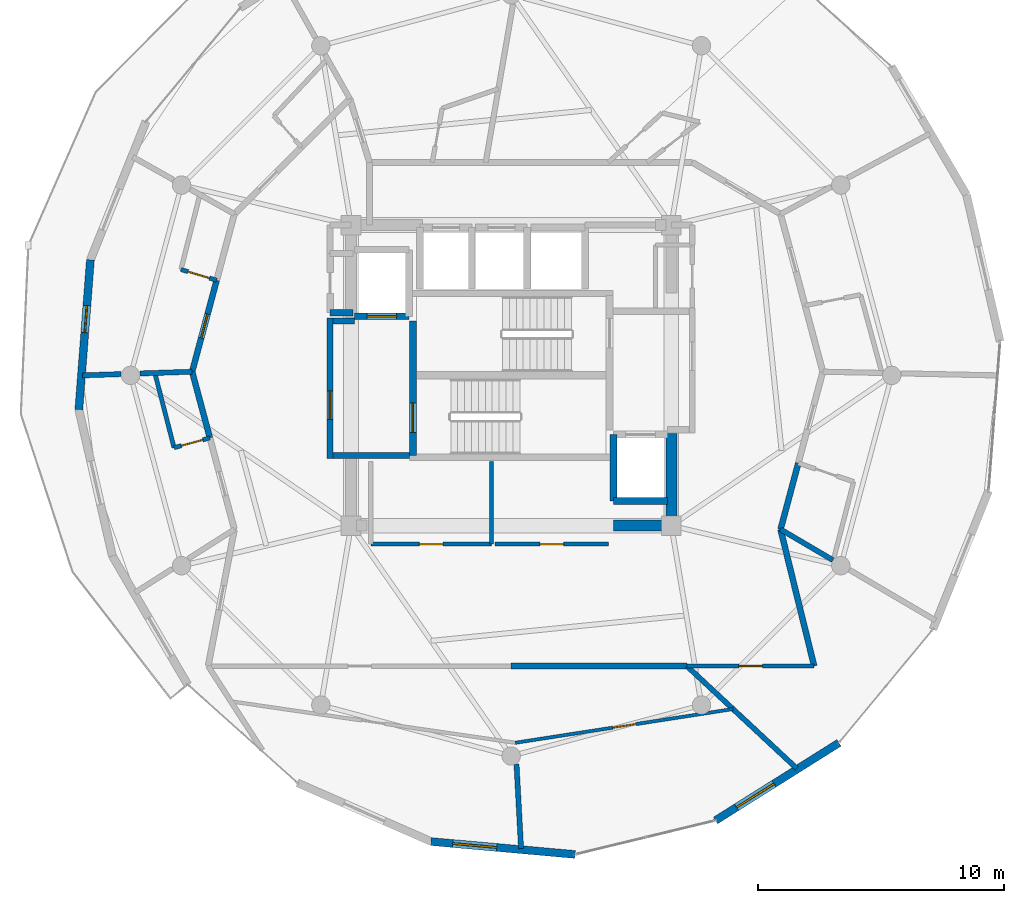
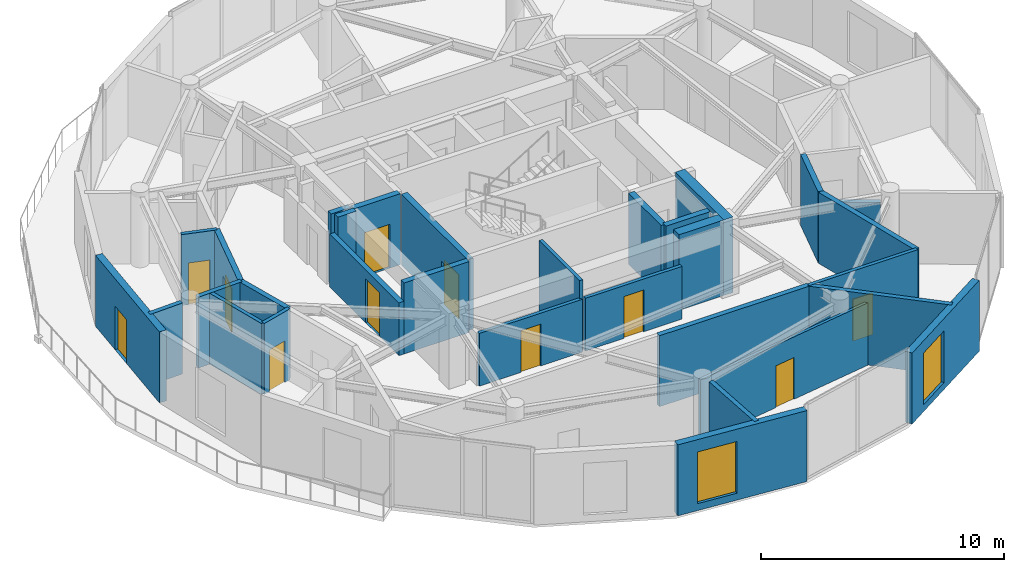
# One storey, part 14 of 19: 31 walls, 11 doors, 2 windows, 13 openings.
"""IFC4 building model written with IfcOpenShell, lengths in metres."""

from ifc_helpers import new_model, si_unit, direction, frame, frame_2d, origin, place, context, subcontext, project, spatial, rectangle, extrude, material, layer, layer_set, type_object, element, fill, save


model = new_model("IFC4")

# Units and contexts
model_context = context("Model", 3, precision=1e-05, world=origin(), true_north=direction((0.0, 1.0)))
body_context = subcontext(model_context, "Body", "Model", "MODEL_VIEW")
ifc_project = project(units=[si_unit("LENGTHUNIT", "METRE"), si_unit("AREAUNIT", "SQUARE_METRE"), si_unit("VOLUMEUNIT", "CUBIC_METRE"), si_unit("PLANEANGLEUNIT", "RADIAN"), si_unit("MASSUNIT", "GRAM", prefix="KILO")], contexts=[model_context])

# Site, building, storey
site_placement = place(None, origin())
site = spatial("IfcSite", under=ifc_project, at=site_placement, CompositionType="ELEMENT")
building_placement = place(site_placement, origin())
building = spatial("IfcBuilding", under=site, at=building_placement, Name="Solvirekh Grand Hotel", CompositionType="ELEMENT")
storey_placement = place(building_placement, frame((0.0, 0.0, 266.800048828125)))
storey = spatial("IfcBuildingStorey", under=building, at=storey_placement, Name="L69", CompositionType="ELEMENT", Elevation=266.800048828125)

# Wall, opening, door
ifc_material_1 = material(Name="Concrete C40/50", Category="concrete")
ifc_layer_1 = layer(ifc_material_1, 0.280029296875)
ifc_layer_set_1 = layer_set([ifc_layer_1], Name="Concrete C40/50")
wall_type_1 = type_object("IfcWallType", Name="CoreShaftWall_RC280", PredefinedType="SOLIDWALL", material=ifc_layer_set_1)
wall_1_placement = place(storey_placement, frame((-6.35009765625, 2.39990234375, 0.0), z_axis=(0.0, 0.0, 1.0), x_axis=(1.0, 0.0, 0.0)))
wall_1 = element("IfcWall", 1, at=wall_1_placement, inside=storey, type_object=wall_type_1, Name="L69 FL-1 hoistway S wall", PredefinedType="SOLIDWALL", context=body_context, shape_type="SweptSolid", body=[
    extrude(rectangle(XDim=2.2001953125, YDim=0.280029296875, at=frame_2d((1.10009765625, 0.0))), origin(), (0.0, 0.0, 1.0), 3.570068359375),
])
opening_1_placement = place(wall_1_placement, frame((0.5, 0.0, 0.0)))
opening_1 = element("IfcOpeningElement", 2, at=opening_1_placement, cuts=wall_1, Name="Opening LD02", PredefinedType="OPENING", context=body_context, shape_type="SweptSolid", body=[
    extrude(rectangle(XDim=1.199951171875, YDim=2.199951171875, at=frame_2d((0.60009765625, 1.10009765625))), frame((0.0, 0.14990234375, 0.0), z_axis=(0.0, -1.0, 0.0), x_axis=(1.0, 0.0, 0.0)), (0.0, 0.0, 1.0), 0.300048828125),
])
ifc_material_2 = material(Name="Fire-Rated Steel Door Assembly", Category="steel")
door_type_1 = type_object("IfcDoorType", Name="Door_LiftFF_1200X2200", OperationType="SLIDING_TO_LEFT", PredefinedType="DOOR", material=ifc_material_2)
door_1_placement = place(opening_1_placement, origin())
door_1 = element("IfcDoor", 3, at=door_1_placement, inside=storey, type_object=door_type_1, Name="L69 FL-1 sliding lift landing door", OperationType="SLIDING_TO_LEFT", OverallHeight=2.199951171875, OverallWidth=1.199951171875, PredefinedType="DOOR", context=body_context, shape_type="SweptSolid", body=[
    extrude(rectangle(XDim=1.199951171875, YDim=2.199951171875, at=frame_2d((0.60009765625, 1.10009765625))), frame((0.0, 0.02490234375, 0.0), z_axis=(0.0, -1.0, 0.0), x_axis=(1.0, 0.0, 0.0)), (0.0, 0.0, 1.0), 0.050048828125),
])
fill(opening_1, door_1)

# Walls
wall_2_placement = place(storey_placement, frame((4.14990234375, -5.10009765625, 0.0), z_axis=(0.0, 0.0, 1.0), x_axis=(1.0, 0.0, 0.0)))
element("IfcWall", 4, at=wall_2_placement, inside=storey, type_object=wall_type_1, Name="L69 FL-2 hoistway S wall", PredefinedType="SOLIDWALL", context=body_context, shape_type="SweptSolid", body=[
    extrude(rectangle(XDim=2.2001953125, YDim=0.280029296875, at=frame_2d((1.10009765625, 0.0))), origin(), (0.0, 0.0, 1.0), 3.570068359375),
])
wall_3_placement = place(storey_placement, frame((4.14990234375, -2.39990234375, 0.0), z_axis=(0.0, 0.0, 1.0), x_axis=(0.0, -1.0, 0.0)))
element("IfcWall", 5, at=wall_3_placement, inside=storey, type_object=wall_type_1, Name="L69 FL-2 hoistway W wall", PredefinedType="SOLIDWALL", context=body_context, shape_type="SweptSolid", body=[
    extrude(rectangle(XDim=2.7001953125, YDim=0.280029296875, at=frame_2d((1.35009765625, 0.0))), origin(), (0.0, 0.0, 1.0), 3.570068359375),
])

# Wall, opening, door
wall_4_placement = place(storey_placement, frame((-3.989990234375, -3.25, 0.0), z_axis=(0.0, 0.0, 1.0), x_axis=(0.0, 1.0, 0.0)))
wall_4 = element("IfcWall", 6, at=wall_4_placement, inside=storey, type_object=wall_type_1, Name="L69 west stair landing enclosure wall", PredefinedType="SOLIDWALL", context=body_context, shape_type="SweptSolid", body=[
    extrude(rectangle(XDim=5.4599609375, YDim=0.280029296875, at=frame_2d((2.72998046875, 0.0))), origin(), (0.0, 0.0, 1.0), 3.570068359375),
])
opening_2_placement = place(wall_4_placement, frame((0.93701171875, 0.0, 0.0)))
opening_2 = element("IfcOpeningElement", 7, at=opening_2_placement, cuts=wall_4, Name="Opening D05", PredefinedType="OPENING", context=body_context, shape_type="SweptSolid", body=[
    extrude(rectangle(XDim=1.199951171875, YDim=2.199951171875, at=frame_2d((0.60009765625, 1.10009765625))), frame((0.0, 0.14990234375, 0.0), z_axis=(0.0, -1.0, 0.0), x_axis=(1.0, 0.0, 0.0)), (0.0, 0.0, 1.0), 0.300048828125),
])
door_type_2 = type_object("IfcDoorType", Name="Door_StairCore_1200X2200", OperationType="NOTDEFINED", PredefinedType="DOOR", material=ifc_material_2)
door_2_placement = place(opening_2_placement, origin())
door_2 = element("IfcDoor", 8, at=door_2_placement, inside=storey, type_object=door_type_2, Name="L69 exit stair ST-1 fire door", OperationType="SINGLE_SWING_LEFT", OverallHeight=2.199951171875, OverallWidth=1.199951171875, PredefinedType="DOOR", context=body_context, shape_type="SweptSolid", body=[
    extrude(rectangle(XDim=1.199951171875, YDim=2.199951171875, at=frame_2d((0.60009765625, 1.10009765625))), frame((0.0, 0.02490234375, 0.0), z_axis=(0.0, -1.0, 0.0), x_axis=(1.0, 0.0, 0.0)), (0.0, 0.0, 1.0), 0.050048828125),
])
fill(opening_2, door_2)

# Walls
ifc_material_3 = material(Name="Concrete C50/60", Category="concrete")
ifc_layer_2 = layer(ifc_material_3, 0.449951171875)
ifc_layer_set_2 = layer_set([ifc_layer_2], Name="Concrete C50/60")
wall_type_2 = type_object("IfcWallType", Name="CoreWall_RC450", PredefinedType="SHEAR", material=ifc_layer_set_2)
wall_5_placement = place(storey_placement, frame((4.14990234375, -6.10009765625, 0.0), z_axis=(0.0, 0.0, 1.0), x_axis=(1.0, 0.0, 0.0)))
element("IfcWall", 9, at=wall_5_placement, inside=storey, type_object=wall_type_2, Name="L69 core corner shear wall SE-S", PredefinedType="SHEAR", context=body_context, shape_type="SweptSolid", body=[
    extrude(rectangle(XDim=2.125, YDim=0.449951171875, at=frame_2d((1.0625, 0.0))), origin(), (0.0, 0.0, 1.0), 3.800048828125),
])
wall_6_placement = place(storey_placement, frame((6.5, -6.324951171875, 0.0), z_axis=(0.0, 0.0, 1.0), x_axis=(0.0, 1.0, 0.0)))
element("IfcWall", 10, at=wall_6_placement, inside=storey, type_object=wall_type_2, Name="L69 core corner shear wall ES-E", PredefinedType="SHEAR", context=body_context, shape_type="SweptSolid", body=[
    extrude(rectangle(XDim=3.974853515625, YDim=0.449951171875, at=frame_2d((1.9873046875, 0.0))), origin(), (0.0, 0.0, 1.0), 3.800048828125),
])

# Wall, opening, window
ifc_material_4 = material(Name="Precast concrete C45/55", Category="concrete")
ifc_layer_3 = layer(ifc_material_4, 0.320068359375)
ifc_layer_set_3 = layer_set([ifc_layer_3], Name="Precast concrete C45/55")
wall_type_3 = type_object("IfcWallType", Name="ExtLobbyWall_RC320", PredefinedType="SOLIDWALL", material=ifc_layer_set_3)
wall_7_placement = place(storey_placement, frame((13.306884765625, -14.91796875, 0.0), z_axis=(0.0, 0.0, 1.0), x_axis=(-0.846622734403, -0.532193522689, 0.0)))
wall_7 = element("IfcWall", 11, at=wall_7_placement, inside=storey, type_object=wall_type_3, Name="L69 exterior structural wall chord 2", PredefinedType="SOLIDWALL", context=body_context, shape_type="SweptSolid", body=[
    extrude(rectangle(XDim=5.9150390625, YDim=0.320068359375, at=frame_2d((2.95751953125, 0.0))), origin(), (0.0, 0.0, 1.0), 3.570068359375),
])
opening_3_placement = place(wall_7_placement, frame((3.110107421875, 0.0, 0.35009765625)))
opening_3 = element("IfcOpeningElement", 12, at=opening_3_placement, cuts=wall_7, Name="Opening W02", PredefinedType="OPENING", context=body_context, shape_type="SweptSolid", body=[
    extrude(rectangle(XDim=1.800048828125, YDim=2.60009765625, at=frame_2d((0.89990234375, 1.300048828125))), frame((0.0, 0.169921875, 0.0), z_axis=(0.0, -1.0, 0.0), x_axis=(1.0, 0.0, 0.0)), (0.0, 0.0, 1.0), 0.340087890625),
])
ifc_material_5 = material(Name="Low-E Tinted Bronze Laminated Glass", Category="aluminium")
window_type = type_object("IfcWindowType", Name="Win_LobbyExt_1800X2600", PartitioningType="SINGLE_PANEL", PredefinedType="WINDOW", material=ifc_material_5)
window_1_placement = place(opening_3_placement, origin())
window_1 = element("IfcWindow", 13, at=window_1_placement, inside=storey, type_object=window_type, Name="L69 panoramic bronze-framed window 2", OverallHeight=2.60009765625, OverallWidth=1.800048828125, PartitioningType="SINGLE_PANEL", PredefinedType="WINDOW", context=body_context, shape_type="SweptSolid", body=[
    extrude(rectangle(XDim=1.800048828125, YDim=2.60009765625, at=frame_2d((0.89990234375, 1.300048828125))), frame((0.0, 0.030029296875, 0.0), z_axis=(0.0, -1.0, 0.0), x_axis=(1.0, 0.0, 0.0)), (0.0, 0.0, 1.0), 0.06005859375),
])
fill(opening_3, window_1)

# Wall, opening, door
wall_8_placement = place(storey_placement, frame((-17.549072265625, -1.385986328125, 0.0), z_axis=(0.0, 0.0, 1.0), x_axis=(0.077106944018, 0.997022827815, 0.0)))
wall_8 = element("IfcWall", 14, at=wall_8_placement, inside=storey, type_object=wall_type_3, Name="L69 exterior structural wall chord 15", PredefinedType="SOLIDWALL", context=body_context, shape_type="SweptSolid", body=[
    extrude(rectangle(XDim=6.094970703125, YDim=0.320068359375, at=frame_2d((3.04736328125, 0.0))), origin(), (0.0, 0.0, 1.0), 3.570068359375),
])
opening_4_placement = place(wall_8_placement, frame((3.134033203125, 0.0, 0.0)))
opening_4 = element("IfcOpeningElement", 15, at=opening_4_placement, cuts=wall_8, Name="Opening D03", PredefinedType="OPENING", context=body_context, shape_type="SweptSolid", body=[
    extrude(rectangle(XDim=1.10009765625, YDim=2.199951171875, at=frame_2d((0.550048828125, 1.10009765625))), frame((0.0, 0.169921875, 0.0), z_axis=(0.0, -1.0, 0.0), x_axis=(1.0, 0.0, 0.0)), (0.0, 0.0, 1.0), 0.340087890625),
])
ifc_material_6 = material(Name="Anodized Bronze Aluminium 6063-T6", Category="aluminium")
door_type_3 = type_object("IfcDoorType", Name="Door_ExtBalcony_1100X2200", OperationType="NOTDEFINED", PredefinedType="DOOR", material=ifc_material_6)
door_3_placement = place(opening_4_placement, origin())
door_3 = element("IfcDoor", 16, at=door_3_placement, inside=storey, type_object=door_type_3, Name="L69 Crescent balcony glazed door (15)", OperationType="SINGLE_SWING_LEFT", OverallHeight=2.199951171875, OverallWidth=1.10009765625, PredefinedType="DOOR", context=body_context, shape_type="SweptSolid", body=[
    extrude(rectangle(XDim=1.10009765625, YDim=2.199951171875, at=frame_2d((0.550048828125, 1.10009765625))), frame((0.0, 0.02490234375, 0.0), z_axis=(0.0, -1.0, 0.0), x_axis=(1.0, 0.0, 0.0)), (0.0, 0.0, 1.0), 0.050048828125),
])
fill(opening_4, door_3)

# Wall, opening, window
wall_9_placement = place(storey_placement, frame((2.592041015625, -19.447021484375, 0.0), z_axis=(0.0, 0.0, 1.0), x_axis=(-0.996012281509, 0.089216226568, 0.0)))
wall_9 = element("IfcWall", 17, at=wall_9_placement, inside=storey, type_object=wall_type_3, Name="L69 exterior structural wall chord 20", PredefinedType="SOLIDWALL", context=body_context, shape_type="SweptSolid", body=[
    extrude(rectangle(XDim=5.87255859375, YDim=0.320068359375, at=frame_2d((2.936279296875, 0.0))), origin(), (0.0, 0.0, 1.0), 3.570068359375),
])
opening_5_placement = place(wall_9_placement, frame((3.18701171875, 0.0, 0.35009765625)))
opening_5 = element("IfcOpeningElement", 18, at=opening_5_placement, cuts=wall_9, Name="Opening W02", PredefinedType="OPENING", context=body_context, shape_type="SweptSolid", body=[
    extrude(rectangle(XDim=1.800048828125, YDim=2.60009765625, at=frame_2d((0.89990234375, 1.300048828125))), frame((0.0, 0.169921875, 0.0), z_axis=(0.0, -1.0, 0.0), x_axis=(1.0, 0.0, 0.0)), (0.0, 0.0, 1.0), 0.340087890625),
])
window_2_placement = place(opening_5_placement, origin())
window_2 = element("IfcWindow", 19, at=window_2_placement, inside=storey, type_object=window_type, Name="L69 panoramic bronze-framed window 20", OverallHeight=2.60009765625, OverallWidth=1.800048828125, PartitioningType="SINGLE_PANEL", PredefinedType="WINDOW", context=body_context, shape_type="SweptSolid", body=[
    extrude(rectangle(XDim=1.800048828125, YDim=2.60009765625, at=frame_2d((0.89990234375, 1.300048828125))), frame((0.0, 0.030029296875, 0.0), z_axis=(0.0, -1.0, 0.0), x_axis=(1.0, 0.0, 0.0)), (0.0, 0.0, 1.0), 0.06005859375),
])
fill(opening_5, window_2)

# Wall, opening, door
ifc_material_7 = material(Name="Acoustic Gypsum Partition Assembly")
ifc_layer_4 = layer(ifc_material_7, 0.1650390625)
ifc_layer_set_4 = layer_set([ifc_layer_4], Name="Acoustic Gypsum Partition Assembly")
wall_type_4 = type_object("IfcWallType", Name="Part_BOH_165", PredefinedType="PARTITIONING", material=ifc_layer_set_4)
wall_10_placement = place(storey_placement, frame((-5.699951171875, -6.85009765625, 0.0), z_axis=(0.0, 0.0, 1.0), x_axis=(1.0, 0.0, 0.0)))
wall_10 = element("IfcWall", 20, at=wall_10_placement, inside=storey, type_object=wall_type_4, Name="L69 High-Zone Housekeeping Linen Room wall 1", PredefinedType="PARTITIONING", context=body_context, shape_type="SweptSolid", body=[
    extrude(rectangle(XDim=4.89990234375, YDim=0.1650390625, at=frame_2d((2.449951171875, 0.0))), origin(), (0.0, 0.0, 1.0), 2.655029296875),
])
opening_6_placement = place(wall_10_placement, frame((1.97509765625, 0.0, 0.0)))
opening_6 = element("IfcOpeningElement", 21, at=opening_6_placement, cuts=wall_10, Name="Opening D10", PredefinedType="OPENING", context=body_context, shape_type="SweptSolid", body=[
    extrude(rectangle(XDim=0.949951171875, YDim=2.10009765625, at=frame_2d((0.47509765625, 1.050048828125))), frame((0.0, 0.092529296875, 0.0), z_axis=(0.0, -1.0, 0.0), x_axis=(1.0, 0.0, 0.0)), (0.0, 0.0, 1.0), 0.18505859375),
])
door_type_4 = type_object("IfcDoorType", Name="Door_RoomInt_950X2100", OperationType="NOTDEFINED", PredefinedType="DOOR", material=ifc_material_6)
door_4_placement = place(opening_6_placement, origin())
door_4 = element("IfcDoor", 22, at=door_4_placement, inside=storey, type_object=door_type_4, Name="L69 High-Zone Housekeeping Linen Room door", OperationType="SINGLE_SWING_LEFT", OverallHeight=2.10009765625, OverallWidth=0.949951171875, PredefinedType="DOOR", context=body_context, shape_type="SweptSolid", body=[
    extrude(rectangle(XDim=0.949951171875, YDim=2.10009765625, at=frame_2d((0.47509765625, 1.050048828125))), frame((0.0, 0.02490234375, 0.0), z_axis=(0.0, -1.0, 0.0), x_axis=(1.0, 0.0, 0.0)), (0.0, 0.0, 1.0), 0.050048828125),
])
fill(opening_6, door_4)

# Wall
wall_11_placement = place(storey_placement, frame((-0.800048828125, -6.85009765625, 0.0), z_axis=(0.0, 0.0, 1.0), x_axis=(0.0, 1.0, 0.0)))
element("IfcWall", 23, at=wall_11_placement, inside=storey, type_object=wall_type_4, Name="L69 High-Zone Housekeeping Linen Room wall 2", PredefinedType="PARTITIONING", context=body_context, shape_type="SweptSolid", body=[
    extrude(rectangle(XDim=3.35009765625, YDim=0.1650390625, at=frame_2d((1.675048828125, 0.0))), origin(), (0.0, 0.0, 1.0), 3.570068359375),
])

# Wall, opening, door
wall_12_placement = place(storey_placement, frame((-0.64990234375, -6.85009765625, 0.0), z_axis=(0.0, 0.0, 1.0), x_axis=(1.0, 0.0, 0.0)))
wall_12 = element("IfcWall", 24, at=wall_12_placement, inside=storey, type_object=wall_type_4, Name="L69 Butler Valet Steward Room wall 1", PredefinedType="PARTITIONING", context=body_context, shape_type="SweptSolid", body=[
    extrude(rectangle(XDim=4.599853515625, YDim=0.1650390625, at=frame_2d((2.2998046875, 0.0))), origin(), (0.0, 0.0, 1.0), 2.655029296875),
])
opening_7_placement = place(wall_12_placement, frame((1.824951171875, 0.0, 0.0)))
opening_7 = element("IfcOpeningElement", 25, at=opening_7_placement, cuts=wall_12, Name="Opening D10", PredefinedType="OPENING", context=body_context, shape_type="SweptSolid", body=[
    extrude(rectangle(XDim=0.949951171875, YDim=2.10009765625, at=frame_2d((0.47509765625, 1.050048828125))), frame((0.0, 0.092529296875, 0.0), z_axis=(0.0, -1.0, 0.0), x_axis=(1.0, 0.0, 0.0)), (0.0, 0.0, 1.0), 0.18505859375),
])
door_5_placement = place(opening_7_placement, origin())
door_5 = element("IfcDoor", 26, at=door_5_placement, inside=storey, type_object=door_type_4, Name="L69 Butler Valet Steward Room door", OperationType="SINGLE_SWING_RIGHT", OverallHeight=2.10009765625, OverallWidth=0.949951171875, PredefinedType="DOOR", context=body_context, shape_type="SweptSolid", body=[
    extrude(rectangle(XDim=0.949951171875, YDim=2.10009765625, at=frame_2d((0.47509765625, 1.050048828125))), frame((0.0, 0.02490234375, 0.0), z_axis=(0.0, -1.0, 0.0), x_axis=(1.0, 0.0, 0.0)), (0.0, 0.0, 1.0), 0.050048828125),
])
fill(opening_7, door_5)

wall_13_placement = place(storey_placement, frame((7.134033203125, -11.800048828125, 0.0), z_axis=(0.0, 0.0, 1.0), x_axis=(1.0, 0.0, 0.0)))
wall_13 = element("IfcWall", 27, at=wall_13_placement, inside=storey, type_object=wall_type_4, Name="L69 L69 Butler Valet & Linen Steward Room entrance wall", PredefinedType="PARTITIONING", context=body_context, shape_type="SweptSolid", body=[
    extrude(rectangle(XDim=5.166015625, YDim=0.1650390625, at=frame_2d((2.5830078125, 0.0))), origin(), (0.0, 0.0, 1.0), 3.570068359375),
])
opening_8_placement = place(wall_13_placement, frame((2.10791015625, 0.0, 0.0)))
opening_8 = element("IfcOpeningElement", 28, at=opening_8_placement, cuts=wall_13, Name="Opening D10", PredefinedType="OPENING", context=body_context, shape_type="SweptSolid", body=[
    extrude(rectangle(XDim=0.949951171875, YDim=2.10009765625, at=frame_2d((0.47509765625, 1.050048828125))), frame((0.0, 0.092529296875, 0.0), z_axis=(0.0, -1.0, 0.0), x_axis=(1.0, 0.0, 0.0)), (0.0, 0.0, 1.0), 0.18505859375),
])
door_6_placement = place(opening_8_placement, origin())
door_6 = element("IfcDoor", 29, at=door_6_placement, inside=storey, type_object=door_type_4, Name="L69 L69 Butler Valet & Linen Steward Room entrance door", OperationType="SINGLE_SWING_RIGHT", OverallHeight=2.10009765625, OverallWidth=0.949951171875, PredefinedType="DOOR", context=body_context, shape_type="SweptSolid", body=[
    extrude(rectangle(XDim=0.949951171875, YDim=2.10009765625, at=frame_2d((0.47509765625, 1.050048828125))), frame((0.0, 0.02490234375, 0.0), z_axis=(0.0, -1.0, 0.0), x_axis=(1.0, 0.0, 0.0)), (0.0, 0.0, 1.0), 0.050048828125),
])
fill(opening_8, door_6)

ifc_layer_5 = layer(ifc_material_7, 0.239990234375)
ifc_layer_set_5 = layer_set([ifc_layer_5], Name="Acoustic Gypsum Partition Assembly")
wall_type_5 = type_object("IfcWallType", Name="Part_Corridor_240", PredefinedType="PARTITIONING", material=ifc_layer_set_5)
wall_14_placement = place(storey_placement, frame((-7.35009765625, -3.3798828125, 0.0), z_axis=(0.0, 0.0, 1.0), x_axis=(0.0, 1.0, 0.0)))
wall_14 = element("IfcWall", 30, at=wall_14_placement, inside=storey, type_object=wall_type_5, Name="L69 west firefighting lobby smoke screen wall", PredefinedType="PARTITIONING", context=body_context, shape_type="SweptSolid", body=[
    extrude(rectangle(XDim=5.719970703125, YDim=0.239990234375, at=frame_2d((2.85986328125, 0.0))), origin(), (0.0, 0.0, 1.0), 2.655029296875),
])
opening_9_placement = place(wall_14_placement, frame((1.59912109375, 0.0, 0.0)))
opening_9 = element("IfcOpeningElement", 31, at=opening_9_placement, cuts=wall_14, Name="Opening D06", PredefinedType="OPENING", context=body_context, shape_type="SweptSolid", body=[
    extrude(rectangle(XDim=1.14990234375, YDim=2.199951171875, at=frame_2d((0.574951171875, 1.10009765625))), frame((0.0, 0.1298828125, 0.0), z_axis=(0.0, -1.0, 0.0), x_axis=(1.0, 0.0, 0.0)), (0.0, 0.0, 1.0), 0.260009765625),
])
door_type_5 = type_object("IfcDoorType", Name="Door_FFLobby_1150X2200", OperationType="NOTDEFINED", PredefinedType="DOOR", material=ifc_material_2)
door_7_placement = place(opening_9_placement, origin())
door_7 = element("IfcDoor", 32, at=door_7_placement, inside=storey, type_object=door_type_5, Name="L69 west firefighting lobby smoke door", OperationType="SINGLE_SWING_LEFT", OverallHeight=2.199951171875, OverallWidth=1.14990234375, PredefinedType="DOOR", context=body_context, shape_type="SweptSolid", body=[
    extrude(rectangle(XDim=1.14990234375, YDim=2.199951171875, at=frame_2d((0.574951171875, 1.10009765625))), frame((0.0, 0.02490234375, 0.0), z_axis=(0.0, -1.0, 0.0), x_axis=(1.0, 0.0, 0.0)), (0.0, 0.0, 1.0), 0.050048828125),
])
fill(opening_9, door_7)

wall_15_placement = place(storey_placement, frame((-11.955078125, 3.862060546875, 0.0), z_axis=(0.0, 0.0, 1.0), x_axis=(-0.258868389222, -0.965912603221, 0.0)))
wall_15 = element("IfcWall", 33, at=wall_15_placement, inside=storey, type_object=wall_type_5, Name="L69 Deluxe Guestroom 7104 entrance wall", PredefinedType="PARTITIONING", context=body_context, shape_type="SweptSolid", body=[
    extrude(rectangle(XDim=3.84326171875, YDim=0.239990234375, at=frame_2d((1.921630859375, 0.0))), origin(), (0.0, 0.0, 1.0), 3.570068359375),
])
opening_10_placement = place(wall_15_placement, frame((1.422119140625, 0.0, 0.0)))
opening_10 = element("IfcOpeningElement", 34, at=opening_10_placement, cuts=wall_15, Name="Opening D07", PredefinedType="OPENING", context=body_context, shape_type="SweptSolid", body=[
    extrude(rectangle(XDim=1.0, YDim=2.199951171875, at=frame_2d((0.5, 1.10009765625))), frame((0.0, 0.1298828125, 0.0), z_axis=(0.0, -1.0, 0.0), x_axis=(1.0, 0.0, 0.0)), (0.0, 0.0, 1.0), 0.260009765625),
])
door_type_6 = type_object("IfcDoorType", Name="Door_GuestEntry_1000X2200", OperationType="NOTDEFINED", PredefinedType="DOOR", material=ifc_material_2)
door_8_placement = place(opening_10_placement, origin())
door_8 = element("IfcDoor", 35, at=door_8_placement, inside=storey, type_object=door_type_6, Name="L69 Deluxe Guestroom 7104 entrance door", OperationType="SINGLE_SWING_LEFT", OverallHeight=2.199951171875, OverallWidth=1.0, PredefinedType="DOOR", context=body_context, shape_type="SweptSolid", body=[
    extrude(rectangle(XDim=1.0, YDim=2.199951171875, at=frame_2d((0.5, 1.10009765625))), frame((0.0, 0.02490234375, 0.0), z_axis=(0.0, -1.0, 0.0), x_axis=(1.0, 0.0, 0.0)), (0.0, 0.0, 1.0), 0.050048828125),
])
fill(opening_10, door_8)

# Walls
for number, where, z_axis, x_axis, name in (
    (36, (-12.949951171875, 0.14990234375, 0.0), (0.0, 0.0, 1.0), (0.258727314432, -0.96595040078, 0.0), "L69 En-suite Bathroom 7105 corridor backing wall"),
    (37, (10.93505859375, -6.25, 0.0), (0.0, 0.0, 1.0), (0.258727314432, 0.96595040078, 0.0), "L69 En-suite Bathroom 7106 corridor backing wall"),
):
    element("IfcWall", number, at=place(storey_placement, frame(where, z_axis=z_axis, x_axis=x_axis)), inside=storey, type_object=wall_type_5, Name=name, PredefinedType="PARTITIONING", context=body_context, shape_type="SweptSolid", body=[
        extrude(rectangle(XDim=2.78271484375, YDim=0.239990234375, at=frame_2d((1.391357421875, 0.0))), origin(), (0.0, 0.0, 1.0), 3.570068359375),
    ])
wall_16_placement = place(storey_placement, frame((0.0, -11.800048828125, 0.0), z_axis=(0.0, 0.0, 1.0), x_axis=(1.0, 0.0, 0.0)))
element("IfcWall", 38, at=wall_16_placement, inside=storey, type_object=wall_type_5, Name="L69 L69 Skyline Library Lounge corridor wall 1", PredefinedType="PARTITIONING", context=body_context, shape_type="SweptSolid", body=[
    extrude(rectangle(XDim=7.134033203125, YDim=0.239990234375, at=frame_2d((3.56689453125, 0.0))), origin(), (0.0, 0.0, 1.0), 3.570068359375),
])
wall_17_placement = place(storey_placement, frame((12.300048828125, -11.800048828125, 0.0), z_axis=(0.0, 0.0, 1.0), x_axis=(-0.238825099749, 0.971062599285, 0.0)))
element("IfcWall", 39, at=wall_17_placement, inside=storey, type_object=wall_type_5, Name="L69 L69 Butler Valet & Linen Steward Room corridor wall 1", PredefinedType="PARTITIONING", context=body_context, shape_type="SweptSolid", body=[
    extrude(rectangle(XDim=5.71533203125, YDim=0.239990234375, at=frame_2d((2.857666015625, 0.0))), origin(), (0.0, 0.0, 1.0), 3.570068359375),
])
ifc_layer_6 = layer(ifc_material_7, 0.260009765625)
ifc_layer_set_6 = layer_set([ifc_layer_6], Name="Acoustic Gypsum Partition Assembly")
wall_type_6 = type_object("IfcWallType", Name="Part_LobbyFF_260", PredefinedType="PARTITIONING", material=ifc_layer_set_6)
wall_18_placement = place(storey_placement, frame((-7.22509765625, -3.25, 0.0), z_axis=(0.0, 0.0, 1.0), x_axis=(1.0, 0.0, 0.0)))
element("IfcWall", 40, at=wall_18_placement, inside=storey, type_object=wall_type_6, Name="L69 west firefighting lobby south partition", PredefinedType="PARTITIONING", context=body_context, shape_type="SweptSolid", body=[
    extrude(rectangle(XDim=3.09521484375, YDim=0.260009765625, at=frame_2d((1.547607421875, 0.0))), origin(), (0.0, 0.0, 1.0), 3.570068359375),
])
wall_19_placement = place(storey_placement, frame((-7.22509765625, 2.2099609375, 0.0), z_axis=(0.0, 0.0, 1.0), x_axis=(1.0, 0.0, 0.0)))
element("IfcWall", 41, at=wall_19_placement, inside=storey, type_object=wall_type_6, Name="L69 west firefighting lobby NW cheek", PredefinedType="PARTITIONING", context=body_context, shape_type="SweptSolid", body=[
    extrude(rectangle(XDim=0.875, YDim=0.260009765625, at=frame_2d((0.4375, 0.0))), origin(), (0.0, 0.0, 1.0), 3.570068359375),
])
wall_20_placement = place(storey_placement, frame((-7.35009765625, 2.550048828125, 0.0), z_axis=(0.0, 0.0, 1.0), x_axis=(1.0, 0.0, 0.0)))
element("IfcWall", 42, at=wall_20_placement, inside=storey, type_object=wall_type_6, Name="L69 NW telecom metering cupboard south wall", PredefinedType="PARTITIONING", context=body_context, shape_type="SweptSolid", body=[
    extrude(rectangle(XDim=0.93017578125, YDim=0.260009765625, at=frame_2d((0.465087890625, 0.0))), origin(), (0.0, 0.0, 1.0), 3.570068359375),
])

# Wall, opening, door
ifc_layer_7 = layer(ifc_material_7, 0.135009765625)
ifc_layer_set_7 = layer_set([ifc_layer_7], Name="Acoustic Gypsum Partition Assembly")
wall_type_7 = type_object("IfcWallType", Name="Part_RoomInt_135", PredefinedType="PARTITIONING", material=ifc_layer_set_7)
wall_21_placement = place(storey_placement, frame((0.1689453125, -14.9130859375, 0.0), z_axis=(0.0, 0.0, 1.0), x_axis=(0.988190446512, 0.153230680422, 0.0)))
wall_21 = element("IfcWall", 43, at=wall_21_placement, inside=storey, type_object=wall_type_7, Name="L69 L69 Riverfront Tea Belvedere bedroom screen wall", PredefinedType="PARTITIONING", context=body_context, shape_type="SweptSolid", body=[
    extrude(rectangle(XDim=8.941650390625, YDim=0.135009765625, at=frame_2d((4.470703125, 0.0))), origin(), (0.0, 0.0, 1.0), 3.136962890625),
])
opening_11_placement = place(wall_21_placement, frame((3.99609375, 0.0, 0.0)))
opening_11 = element("IfcOpeningElement", 44, at=opening_11_placement, cuts=wall_21, Name="Opening D10", PredefinedType="OPENING", context=body_context, shape_type="SweptSolid", body=[
    extrude(rectangle(XDim=0.949951171875, YDim=2.10009765625, at=frame_2d((0.47509765625, 1.050048828125))), frame((0.0, 0.07763671875, 0.0), z_axis=(0.0, -1.0, 0.0), x_axis=(1.0, 0.0, 0.0)), (0.0, 0.0, 1.0), 0.155029296875),
])
door_9_placement = place(opening_11_placement, origin())
door_9 = element("IfcDoor", 45, at=door_9_placement, inside=storey, type_object=door_type_4, Name="L69 L69 Riverfront Tea Belvedere master bedroom door", OperationType="SINGLE_SWING_LEFT", OverallHeight=2.10009765625, OverallWidth=0.949951171875, PredefinedType="DOOR", context=body_context, shape_type="SweptSolid", body=[
    extrude(rectangle(XDim=0.949951171875, YDim=2.10009765625, at=frame_2d((0.47509765625, 1.050048828125))), frame((0.0, 0.02490234375, 0.0), z_axis=(0.0, -1.0, 0.0), x_axis=(1.0, 0.0, 0.0)), (0.0, 0.0, 1.0), 0.050048828125),
])
fill(opening_11, door_9)

# Walls
ifc_layer_8 = layer(ifc_material_7, 0.2099609375)
ifc_layer_set_8 = layer_set([ifc_layer_8], Name="Acoustic Gypsum Partition Assembly")
wall_type_8 = type_object("IfcWallType", Name="Part_SuiteDemise_210", PredefinedType="PARTITIONING", material=ifc_layer_set_8)
wall_22_placement = place(storey_placement, frame((-12.949951171875, 0.14990234375, 0.0), z_axis=(0.0, 0.0, 1.0), x_axis=(-0.999439124644, -0.033487850508, 0.0)))
element("IfcWall", 46, at=wall_22_placement, inside=storey, type_object=wall_type_8, Name="L69 suite radial wall 7 (A)", PredefinedType="PARTITIONING", context=body_context, shape_type="SweptSolid", body=[
    extrude(rectangle(XDim=2.1142578125, YDim=0.2099609375, at=frame_2d((1.05712890625, 0.0))), origin(), (0.0, 0.0, 1.0), 3.570068359375),
])
wall_23_placement = place(storey_placement, frame((-15.841064453125, 0.052978515625, 0.0), z_axis=(0.0, 0.0, 1.0), x_axis=(-0.999424600814, -0.033918539002, 0.0)))
element("IfcWall", 47, at=wall_23_placement, inside=storey, type_object=wall_type_8, Name="L69 suite radial wall 7 (B)", PredefinedType="PARTITIONING", context=body_context, shape_type="SweptSolid", body=[
    extrude(rectangle(XDim=1.56201171875, YDim=0.2099609375, at=frame_2d((0.781005859375, 0.0))), origin(), (0.0, 0.0, 1.0), 3.570068359375),
])
wall_24_placement = place(storey_placement, frame((10.93505859375, -6.25, 0.0), z_axis=(0.0, 0.0, 1.0), x_axis=(0.862250119525, -0.506482705903, 0.0)))
element("IfcWall", 48, at=wall_24_placement, inside=storey, type_object=wall_type_8, Name="L69 suite radial wall 12 (A)", PredefinedType="PARTITIONING", context=body_context, shape_type="SweptSolid", body=[
    extrude(rectangle(XDim=2.462158203125, YDim=0.2099609375, at=frame_2d((1.23095703125, 0.0))), origin(), (0.0, 0.0, 1.0), 3.0849609375),
])
wall_25_placement = place(storey_placement, frame((7.134033203125, -11.800048828125, 0.0), z_axis=(0.0, 0.0, 1.0), x_axis=(0.731644317953, -0.681686579013, 0.0)))
element("IfcWall", 49, at=wall_25_placement, inside=storey, type_object=wall_type_8, Name="L69 L69 Skyline Library Lounge dividing partition 1", PredefinedType="PARTITIONING", context=body_context, shape_type="SweptSolid", body=[
    extrude(rectangle(XDim=6.089111328125, YDim=0.2099609375, at=frame_2d((3.04443359375, 0.0))), origin(), (0.0, 0.0, 1.0), 3.570068359375),
])
wall_26_placement = place(storey_placement, frame((0.216064453125, -15.781005859375, 0.0), z_axis=(0.0, 0.0, 1.0), x_axis=(0.054159130596, -0.99853231724, 0.0)))
element("IfcWall", 50, at=wall_26_placement, inside=storey, type_object=wall_type_8, Name="L69 L69 South Horizon Conservatory dividing partition 1 (A)", PredefinedType="PARTITIONING", context=body_context, shape_type="SweptSolid", body=[
    extrude(rectangle(XDim=3.43505859375, YDim=0.2099609375, at=frame_2d((1.717529296875, 0.0))), origin(), (0.0, 0.0, 1.0), 3.570068359375),
])

# Wall, opening, door
ifc_layer_9 = layer(ifc_material_7, 0.175048828125)
ifc_layer_set_9 = layer_set([ifc_layer_9], Name="Acoustic Gypsum Partition Assembly")
wall_type_9 = type_object("IfcWallType", Name="Plumb_Ensuite_175", PredefinedType="PLUMBINGWALL", material=ifc_layer_set_9)
wall_27_placement = place(storey_placement, frame((-11.955078125, 3.862060546875, 0.0), z_axis=(0.0, 0.0, 1.0), x_axis=(-0.957581701608, 0.288161907173, 0.0)))
wall_27 = element("IfcWall", 51, at=wall_27_placement, inside=storey, type_object=wall_type_9, Name="L69 En-suite Bathroom 7104 entry plumbing wall", PredefinedType="PLUMBINGWALL", context=body_context, shape_type="SweptSolid", body=[
    extrude(rectangle(XDim=1.51318359375, YDim=0.175048828125, at=frame_2d((0.756591796875, 0.0))), origin(), (0.0, 0.0, 1.0), 3.570068359375),
])
opening_12_placement = place(wall_27_placement, frame((0.306884765625, 0.0, 0.0)))
opening_12 = element("IfcOpeningElement", 52, at=opening_12_placement, cuts=wall_27, Name="Opening D09", PredefinedType="OPENING", context=body_context, shape_type="SweptSolid", body=[
    extrude(rectangle(XDim=0.89990234375, YDim=2.10009765625, at=frame_2d((0.449951171875, 1.050048828125))), frame((0.0, 0.09765625, 0.0), z_axis=(0.0, -1.0, 0.0), x_axis=(1.0, 0.0, 0.0)), (0.0, 0.0, 1.0), 0.195068359375),
])
door_type_7 = type_object("IfcDoorType", Name="Door_Ensuite_900X2100", OperationType="NOTDEFINED", PredefinedType="DOOR", material=ifc_material_6)
door_10_placement = place(opening_12_placement, origin())
door_10 = element("IfcDoor", 53, at=door_10_placement, inside=storey, type_object=door_type_7, Name="L69 En-suite Bathroom 7104 door", OperationType="SINGLE_SWING_RIGHT", OverallHeight=2.10009765625, OverallWidth=0.89990234375, PredefinedType="DOOR", context=body_context, shape_type="SweptSolid", body=[
    extrude(rectangle(XDim=0.89990234375, YDim=2.10009765625, at=frame_2d((0.449951171875, 1.050048828125))), frame((0.0, 0.02490234375, 0.0), z_axis=(0.0, -1.0, 0.0), x_axis=(1.0, 0.0, 0.0)), (0.0, 0.0, 1.0), 0.050048828125),
])
fill(opening_12, door_10)

# Wall
wall_28_placement = place(storey_placement, frame((-14.464111328125, 0.09912109375, 0.0), z_axis=(0.0, 0.0, 1.0), x_axis=(0.249059841598, -0.968488097657, 0.0)))
element("IfcWall", 54, at=wall_28_placement, inside=storey, type_object=wall_type_9, Name="L69 En-suite Bathroom 7105 outer plumbing wall", PredefinedType="PLUMBINGWALL", context=body_context, shape_type="SweptSolid", body=[
    extrude(rectangle(XDim=3.1318359375, YDim=0.175048828125, at=frame_2d((1.56591796875, 0.0))), origin(), (0.0, 0.0, 1.0), 3.570068359375),
])

# Wall, opening, door
wall_29_placement = place(storey_placement, frame((-12.22998046875, -2.5380859375, 0.0), z_axis=(0.0, 0.0, 1.0), x_axis=(-0.964860954296, -0.262760991919, 0.0)))
wall_29 = element("IfcWall", 55, at=wall_29_placement, inside=storey, type_object=wall_type_9, Name="L69 En-suite Bathroom 7105 entry plumbing wall", PredefinedType="PLUMBINGWALL", context=body_context, shape_type="SweptSolid", body=[
    extrude(rectangle(XDim=1.507080078125, YDim=0.175048828125, at=frame_2d((0.75341796875, 0.0))), origin(), (0.0, 0.0, 1.0), 3.570068359375),
])
opening_13_placement = place(wall_29_placement, frame((0.302978515625, 0.0, 0.0)))
opening_13 = element("IfcOpeningElement", 56, at=opening_13_placement, cuts=wall_29, Name="Opening D09", PredefinedType="OPENING", context=body_context, shape_type="SweptSolid", body=[
    extrude(rectangle(XDim=0.89990234375, YDim=2.10009765625, at=frame_2d((0.449951171875, 1.050048828125))), frame((0.0, 0.09765625, 0.0), z_axis=(0.0, -1.0, 0.0), x_axis=(1.0, 0.0, 0.0)), (0.0, 0.0, 1.0), 0.195068359375),
])
door_11_placement = place(opening_13_placement, origin())
door_11 = element("IfcDoor", 57, at=door_11_placement, inside=storey, type_object=door_type_7, Name="L69 En-suite Bathroom 7105 door", OperationType="SINGLE_SWING_RIGHT", OverallHeight=2.10009765625, OverallWidth=0.89990234375, PredefinedType="DOOR", context=body_context, shape_type="SweptSolid", body=[
    extrude(rectangle(XDim=0.89990234375, YDim=2.10009765625, at=frame_2d((0.449951171875, 1.050048828125))), frame((0.0, 0.02490234375, 0.0), z_axis=(0.0, -1.0, 0.0), x_axis=(1.0, 0.0, 0.0)), (0.0, 0.0, 1.0), 0.050048828125),
])
fill(opening_13, door_11)

save(model, "model.ifc")
